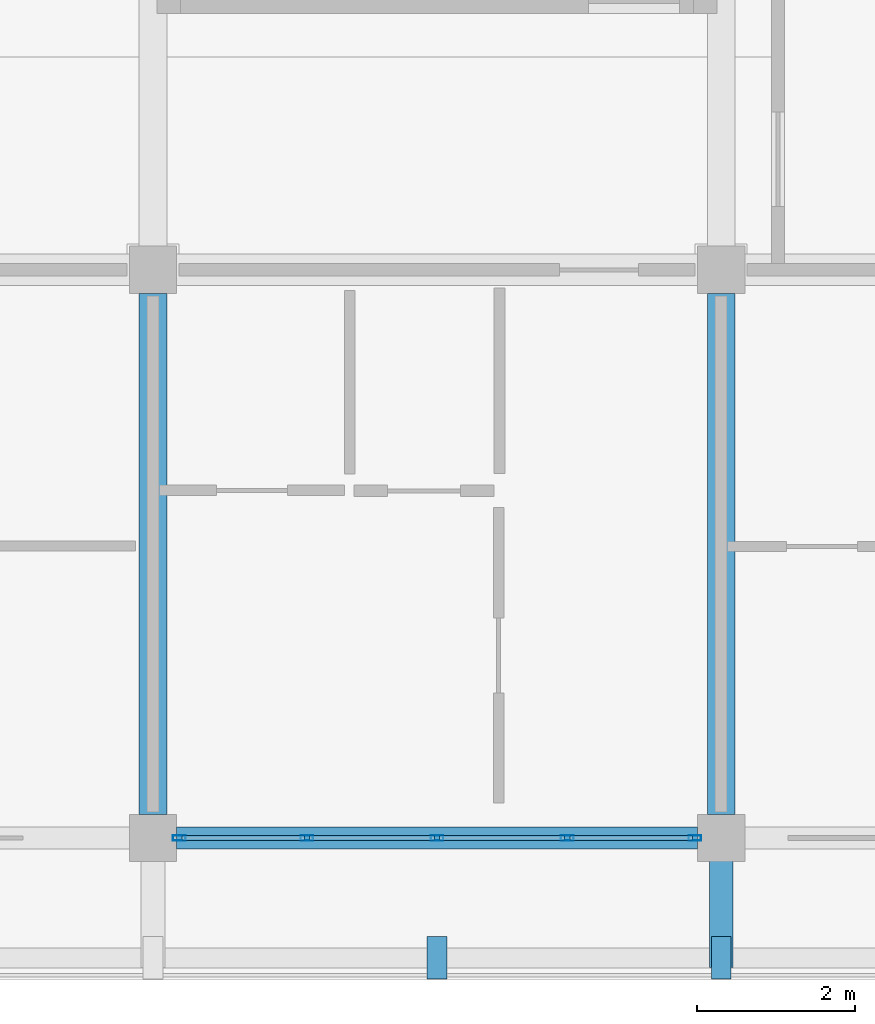
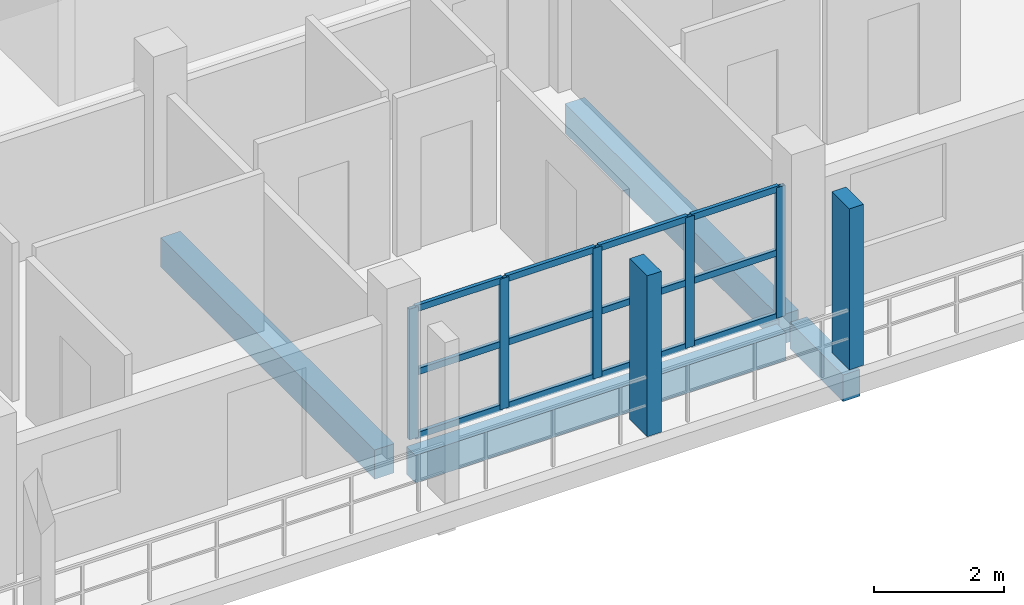
# One storey, part 4 of 76: 19 members, 4 beams, 1 element without a shape of its own.
"""IFC4 building model written with IfcOpenShell, lengths in metres."""

from ifc_helpers import new_model, si_unit, direction, frame, origin, origin_2d, place, context, subcontext, project, spatial, rectangle, hollow_rectangle, extrude, material, material_profile, profile_set, type_object, element, aggregate, save


model = new_model("IFC4")

# Units and contexts
model_context = context("Model", 3, precision=1e-05, world=origin(), true_north=direction((0.0, 1.0)))
body_context = subcontext(model_context, "Body", "Model", "MODEL_VIEW")
ifc_project = project(units=[si_unit("LENGTHUNIT", "METRE"), si_unit("AREAUNIT", "SQUARE_METRE"), si_unit("VOLUMEUNIT", "CUBIC_METRE"), si_unit("PLANEANGLEUNIT", "RADIAN"), si_unit("MASSUNIT", "GRAM", prefix="KILO")], contexts=[model_context])

# Site, building, storey
site_placement = place(None, origin())
site = spatial("IfcSite", under=ifc_project, at=site_placement, CompositionType="ELEMENT")
building_placement = place(site_placement, origin())
building = spatial("IfcBuilding", under=site, at=building_placement, Name="Suanplinth Sawtooth Commons", CompositionType="ELEMENT")
storey_placement = place(building_placement, frame((0.0, 0.0, 12.199951171875)))
storey = spatial("IfcBuildingStorey", under=building, at=storey_placement, Name="L03", CompositionType="ELEMENT", Elevation=12.199951171875)

# Beams
ifc_material_1 = material(Name="Precast concrete C40/50", Category="concrete")
ifc_material_profile_1 = material_profile(ifc_material_1, rectangle(XDim=0.35009765625, YDim=0.550048828125, at=origin_2d()), Name="PC-BM 350x550")
ifc_profile_set_1 = profile_set([ifc_material_profile_1], Name="Precast concrete C40/50")
beam_type_1 = type_object("IfcBeamType", Name="B-06", PredefinedType="BEAM", material=ifc_profile_set_1)
for number, where, z_axis, x_axis, name in (
    (1, (14.39990234375, 0.300048828125, -0.514892578125), (0.0, 1.0, 0.0), (-1.0, 0.0, 0.0), "BMY-L03-D-2-0"),
    (2, (21.60009765625, 0.300048828125, -0.514892578125), (0.0, 1.0, 0.0), (-1.0, 0.0, 0.0), "BMY-L03-D-3-0"),
):
    element("IfcBeam", number, at=place(storey_placement, frame(where, z_axis=z_axis, x_axis=x_axis)), inside=storey, type_object=beam_type_1, Name=name, PredefinedType="BEAM", context=body_context, shape_type="SweptSolid", body=[
        extrude(rectangle(XDim=0.35009765625, YDim=0.550048828125, at=origin_2d()), origin(), (0.0, 0.0, 1.0), 6.599853515625),
    ])
ifc_material_profile_2 = material_profile(ifc_material_1, rectangle(XDim=0.300048828125, YDim=0.5, at=origin_2d()), Name="PC-BM 300x500")
ifc_profile_set_2 = profile_set([ifc_material_profile_2], Name="Precast concrete C40/50")
beam_type_2 = type_object("IfcBeamType", Name="B-07", PredefinedType="BEAM", material=ifc_profile_set_2)
beam_1_placement = place(storey_placement, frame((21.60009765625, 0.0, -0.429931640625), z_axis=(0.0, -1.0, 0.0), x_axis=(1.0, 0.0, 0.0)))
element("IfcBeam", 3, at=beam_1_placement, inside=storey, type_object=beam_type_2, Name="Balcony Outrigger L03-D-S-3", PredefinedType="BEAM", context=body_context, shape_type="SweptSolid", body=[
    extrude(rectangle(XDim=0.300048828125, YDim=0.5, at=origin_2d()), origin(), (0.0, 0.0, 1.0), 1.639892578125),
])
ifc_material_profile_3 = material_profile(ifc_material_1, rectangle(XDim=0.280029296875, YDim=0.52001953125, at=origin_2d()), Name="PC-SP 280x520")
ifc_profile_set_3 = profile_set([ifc_material_profile_3], Name="Precast concrete C40/50")
beam_type_3 = type_object("IfcBeamType", Name="B-08", PredefinedType="SPANDREL", material=ifc_profile_set_3)
beam_2_placement = place(storey_placement, frame((14.699951171875, 0.0, -0.5), z_axis=(1.0, 0.0, 0.0), x_axis=(0.0, 1.0, 0.0)))
element("IfcBeam", 4, at=beam_2_placement, inside=storey, type_object=beam_type_3, Name="BMX-L03-D-2-0", PredefinedType="SPANDREL", context=body_context, shape_type="SweptSolid", body=[
    extrude(rectangle(XDim=0.280029296875, YDim=0.52001953125, at=origin_2d()), origin(), (0.0, 0.0, 1.0), 6.60009765625),
])

# Members
ifc_material_2 = material(Name="Pigmented precast concrete C40/50", Category="concrete")
ifc_material_profile_4 = material_profile(ifc_material_2, rectangle(XDim=0.25, YDim=0.5400390625, at=origin_2d()), Name="PC-FIN 250x540")
ifc_profile_set_4 = profile_set([ifc_material_profile_4], Name="Pigmented precast concrete C40/50")
member_type_1 = type_object("IfcMemberType", Name="M-11", PredefinedType="USERDEFINED", material=ifc_profile_set_4)
for number, where, z_axis, x_axis, name in (
    (5, (18.0, -1.52001953125, 0.0), (0.0, 0.0, 1.0), (1.0, 0.0, 0.0), "Upright Solar Blade L03-D-S-04"),
    (6, (21.60009765625, -1.52001953125, 0.0), (0.0, 0.0, 1.0), (1.0, 0.0, 0.0), "Upright Solar Blade L03-D-S-05"),
):
    element("IfcMember", number, at=place(storey_placement, frame(where, z_axis=z_axis, x_axis=x_axis)), inside=storey, type_object=member_type_1, Name=name, ObjectType="SHADING FIN", PredefinedType="USERDEFINED", context=body_context, shape_type="SweptSolid", body=[
        extrude(rectangle(XDim=0.25, YDim=0.5400390625, at=origin_2d()), origin(), (0.0, 0.0, 1.0), 3.030029296875),
    ])

# Curtain wall, members
ifc_material_3 = material(Name="Anodized aluminium and low-E glazing", Category="aluminium")
curtain_wall_type = type_object("IfcCurtainWallType", Name="CW-06", PredefinedType="USERDEFINED", material=ifc_material_3)
curtain_wall_placement = place(storey_placement, origin())
curtain_wall = element("IfcCurtainWall", 7, at=curtain_wall_placement, inside=storey, type_object=curtain_wall_type, Name="Curtain Wall CW-L03-D-LOUNGE-2", ObjectType="CURTAIN WALL", PredefinedType="USERDEFINED")
ifc_material_4 = material(Name="Anodized aluminium 6063-T6", Category="aluminium")
ifc_material_profile_5 = material_profile(ifc_material_4, hollow_rectangle(XDim=0.06494140625, YDim=0.159912109375, WallThickness=0.00390625, at=origin_2d()), Name="ALU-MUL 65x160")
ifc_profile_set_5 = profile_set([ifc_material_profile_5], Name="Anodized aluminium 6063-T6")
member_type_2 = type_object("IfcMemberType", Name="M-13", PredefinedType="MULLION", material=ifc_profile_set_5)
member_1_placement = place(storey_placement, frame((14.732421875, 0.0, 0.0), z_axis=(0.0, 0.0, 1.0), x_axis=(0.0, 1.0, 0.0)))
member_1 = element("IfcMember", 8, at=member_1_placement, type_object=member_type_2, Name="CW-06 mullion 1", PredefinedType="MULLION", context=body_context, shape_type="SweptSolid", body=[
    extrude(hollow_rectangle(XDim=0.06494140625, YDim=0.159912109375, WallThickness=0.00390625, at=origin_2d()), origin(), (0.0, 0.0, 1.0), 2.4599609375),
])
member_2_placement = place(storey_placement, frame((16.35009765625, 0.0, 0.0), z_axis=(0.0, 0.0, 1.0), x_axis=(0.0, 1.0, 0.0)))
member_2 = element("IfcMember", 9, at=member_2_placement, type_object=member_type_2, Name="CW-06 mullion 2", PredefinedType="MULLION", context=body_context, shape_type="SweptSolid", body=[
    extrude(hollow_rectangle(XDim=0.06494140625, YDim=0.159912109375, WallThickness=0.00390625, at=origin_2d()), origin(), (0.0, 0.0, 1.0), 2.4599609375),
])
member_3_placement = place(storey_placement, frame((18.0, 0.0, 0.0), z_axis=(0.0, 0.0, 1.0), x_axis=(0.0, 1.0, 0.0)))
member_3 = element("IfcMember", 10, at=member_3_placement, type_object=member_type_2, Name="CW-06 mullion 3", PredefinedType="MULLION", context=body_context, shape_type="SweptSolid", body=[
    extrude(hollow_rectangle(XDim=0.06494140625, YDim=0.159912109375, WallThickness=0.00390625, at=origin_2d()), origin(), (0.0, 0.0, 1.0), 2.4599609375),
])
member_4_placement = place(storey_placement, frame((19.64990234375, 0.0, 0.0), z_axis=(0.0, 0.0, 1.0), x_axis=(0.0, 1.0, 0.0)))
member_4 = element("IfcMember", 11, at=member_4_placement, type_object=member_type_2, Name="CW-06 mullion 4", PredefinedType="MULLION", context=body_context, shape_type="SweptSolid", body=[
    extrude(hollow_rectangle(XDim=0.06494140625, YDim=0.159912109375, WallThickness=0.00390625, at=origin_2d()), origin(), (0.0, 0.0, 1.0), 2.4599609375),
])
member_5_placement = place(storey_placement, frame((21.267578125, 0.0, 0.0), z_axis=(0.0, 0.0, 1.0), x_axis=(0.0, 1.0, 0.0)))
member_5 = element("IfcMember", 12, at=member_5_placement, type_object=member_type_2, Name="CW-06 mullion 5", PredefinedType="MULLION", context=body_context, shape_type="SweptSolid", body=[
    extrude(hollow_rectangle(XDim=0.06494140625, YDim=0.159912109375, WallThickness=0.00390625, at=origin_2d()), origin(), (0.0, 0.0, 1.0), 2.4599609375),
])
ifc_material_profile_6 = material_profile(ifc_material_4, hollow_rectangle(XDim=0.06494140625, YDim=0.1201171875, WallThickness=0.00390625, at=origin_2d()), Name="ALU-TRN 65x120")
ifc_profile_set_6 = profile_set([ifc_material_profile_6], Name="Anodized aluminium 6063-T6")
member_type_3 = type_object("IfcMemberType", Name="M-15", PredefinedType="USERDEFINED", material=ifc_profile_set_6)
member_6_placement = place(storey_placement, frame((14.764892578125, 0.0, 0.032470703125), z_axis=(1.0, 0.0, 0.0), x_axis=(0.0, 1.0, 0.0)))
member_6 = element("IfcMember", 13, at=member_6_placement, type_object=member_type_3, Name="CW-06 transom 1.1", ObjectType="TRANSOM", PredefinedType="USERDEFINED", context=body_context, shape_type="SweptSolid", body=[
    extrude(hollow_rectangle(XDim=0.06494140625, YDim=0.1201171875, WallThickness=0.00390625, at=origin_2d()), origin(), (0.0, 0.0, 1.0), 1.552490234375),
])
member_7_placement = place(storey_placement, frame((14.764892578125, 0.0, 1.22998046875), z_axis=(1.0, 0.0, 0.0), x_axis=(0.0, 1.0, 0.0)))
member_7 = element("IfcMember", 14, at=member_7_placement, type_object=member_type_3, Name="CW-06 transom 1.2", ObjectType="TRANSOM", PredefinedType="USERDEFINED", context=body_context, shape_type="SweptSolid", body=[
    extrude(hollow_rectangle(XDim=0.06494140625, YDim=0.1201171875, WallThickness=0.00390625, at=origin_2d()), origin(), (0.0, 0.0, 1.0), 1.552490234375),
])
member_8_placement = place(storey_placement, frame((14.764892578125, 0.0, 2.427490234375), z_axis=(1.0, 0.0, 0.0), x_axis=(0.0, 1.0, 0.0)))
member_8 = element("IfcMember", 15, at=member_8_placement, type_object=member_type_3, Name="CW-06 transom 1.3", ObjectType="TRANSOM", PredefinedType="USERDEFINED", context=body_context, shape_type="SweptSolid", body=[
    extrude(hollow_rectangle(XDim=0.06494140625, YDim=0.1201171875, WallThickness=0.00390625, at=origin_2d()), origin(), (0.0, 0.0, 1.0), 1.552490234375),
])
member_9_placement = place(storey_placement, frame((16.382568359375, 0.0, 0.032470703125), z_axis=(1.0, 0.0, 0.0), x_axis=(0.0, 1.0, 0.0)))
member_9 = element("IfcMember", 16, at=member_9_placement, type_object=member_type_3, Name="CW-06 transom 2.1", ObjectType="TRANSOM", PredefinedType="USERDEFINED", context=body_context, shape_type="SweptSolid", body=[
    extrude(hollow_rectangle(XDim=0.06494140625, YDim=0.1201171875, WallThickness=0.00390625, at=origin_2d()), origin(), (0.0, 0.0, 1.0), 1.5849609375),
])
member_10_placement = place(storey_placement, frame((16.382568359375, 0.0, 1.22998046875), z_axis=(1.0, 0.0, 0.0), x_axis=(0.0, 1.0, 0.0)))
member_10 = element("IfcMember", 17, at=member_10_placement, type_object=member_type_3, Name="CW-06 transom 2.2", ObjectType="TRANSOM", PredefinedType="USERDEFINED", context=body_context, shape_type="SweptSolid", body=[
    extrude(hollow_rectangle(XDim=0.06494140625, YDim=0.1201171875, WallThickness=0.00390625, at=origin_2d()), origin(), (0.0, 0.0, 1.0), 1.5849609375),
])
member_11_placement = place(storey_placement, frame((16.382568359375, 0.0, 2.427490234375), z_axis=(1.0, 0.0, 0.0), x_axis=(0.0, 1.0, 0.0)))
member_11 = element("IfcMember", 18, at=member_11_placement, type_object=member_type_3, Name="CW-06 transom 2.3", ObjectType="TRANSOM", PredefinedType="USERDEFINED", context=body_context, shape_type="SweptSolid", body=[
    extrude(hollow_rectangle(XDim=0.06494140625, YDim=0.1201171875, WallThickness=0.00390625, at=origin_2d()), origin(), (0.0, 0.0, 1.0), 1.5849609375),
])
member_12_placement = place(storey_placement, frame((18.032470703125, 0.0, 0.032470703125), z_axis=(1.0, 0.0, 0.0), x_axis=(0.0, 1.0, 0.0)))
member_12 = element("IfcMember", 19, at=member_12_placement, type_object=member_type_3, Name="CW-06 transom 3.1", ObjectType="TRANSOM", PredefinedType="USERDEFINED", context=body_context, shape_type="SweptSolid", body=[
    extrude(hollow_rectangle(XDim=0.06494140625, YDim=0.1201171875, WallThickness=0.00390625, at=origin_2d()), origin(), (0.0, 0.0, 1.0), 1.5849609375),
])
member_13_placement = place(storey_placement, frame((18.032470703125, 0.0, 1.22998046875), z_axis=(1.0, 0.0, 0.0), x_axis=(0.0, 1.0, 0.0)))
member_13 = element("IfcMember", 20, at=member_13_placement, type_object=member_type_3, Name="CW-06 transom 3.2", ObjectType="TRANSOM", PredefinedType="USERDEFINED", context=body_context, shape_type="SweptSolid", body=[
    extrude(hollow_rectangle(XDim=0.06494140625, YDim=0.1201171875, WallThickness=0.00390625, at=origin_2d()), origin(), (0.0, 0.0, 1.0), 1.5849609375),
])
member_14_placement = place(storey_placement, frame((18.032470703125, 0.0, 2.427490234375), z_axis=(1.0, 0.0, 0.0), x_axis=(0.0, 1.0, 0.0)))
member_14 = element("IfcMember", 21, at=member_14_placement, type_object=member_type_3, Name="CW-06 transom 3.3", ObjectType="TRANSOM", PredefinedType="USERDEFINED", context=body_context, shape_type="SweptSolid", body=[
    extrude(hollow_rectangle(XDim=0.06494140625, YDim=0.1201171875, WallThickness=0.00390625, at=origin_2d()), origin(), (0.0, 0.0, 1.0), 1.5849609375),
])
member_15_placement = place(storey_placement, frame((19.6826171875, 0.0, 0.032470703125), z_axis=(1.0, 0.0, 0.0), x_axis=(0.0, 1.0, 0.0)))
member_15 = element("IfcMember", 22, at=member_15_placement, type_object=member_type_3, Name="CW-06 transom 4.1", ObjectType="TRANSOM", PredefinedType="USERDEFINED", context=body_context, shape_type="SweptSolid", body=[
    extrude(hollow_rectangle(XDim=0.06494140625, YDim=0.1201171875, WallThickness=0.00390625, at=origin_2d()), origin(), (0.0, 0.0, 1.0), 1.552490234375),
])
member_16_placement = place(storey_placement, frame((19.6826171875, 0.0, 1.22998046875), z_axis=(1.0, 0.0, 0.0), x_axis=(0.0, 1.0, 0.0)))
member_16 = element("IfcMember", 23, at=member_16_placement, type_object=member_type_3, Name="CW-06 transom 4.2", ObjectType="TRANSOM", PredefinedType="USERDEFINED", context=body_context, shape_type="SweptSolid", body=[
    extrude(hollow_rectangle(XDim=0.06494140625, YDim=0.1201171875, WallThickness=0.00390625, at=origin_2d()), origin(), (0.0, 0.0, 1.0), 1.552490234375),
])
member_17_placement = place(storey_placement, frame((19.6826171875, 0.0, 2.427490234375), z_axis=(1.0, 0.0, 0.0), x_axis=(0.0, 1.0, 0.0)))
member_17 = element("IfcMember", 24, at=member_17_placement, type_object=member_type_3, Name="CW-06 transom 4.3", ObjectType="TRANSOM", PredefinedType="USERDEFINED", context=body_context, shape_type="SweptSolid", body=[
    extrude(hollow_rectangle(XDim=0.06494140625, YDim=0.1201171875, WallThickness=0.00390625, at=origin_2d()), origin(), (0.0, 0.0, 1.0), 1.552490234375),
])
aggregate(curtain_wall, [member_1, member_2, member_3, member_4, member_5, member_6, member_7, member_8, member_9, member_10, member_11, member_12, member_13, member_14, member_15, member_16, member_17])

save(model, "model.ifc")
